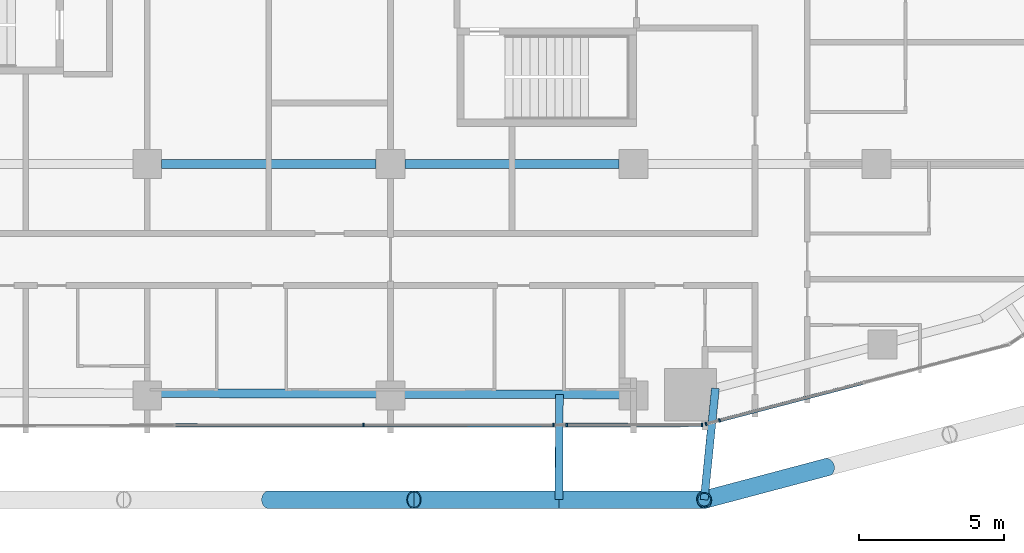
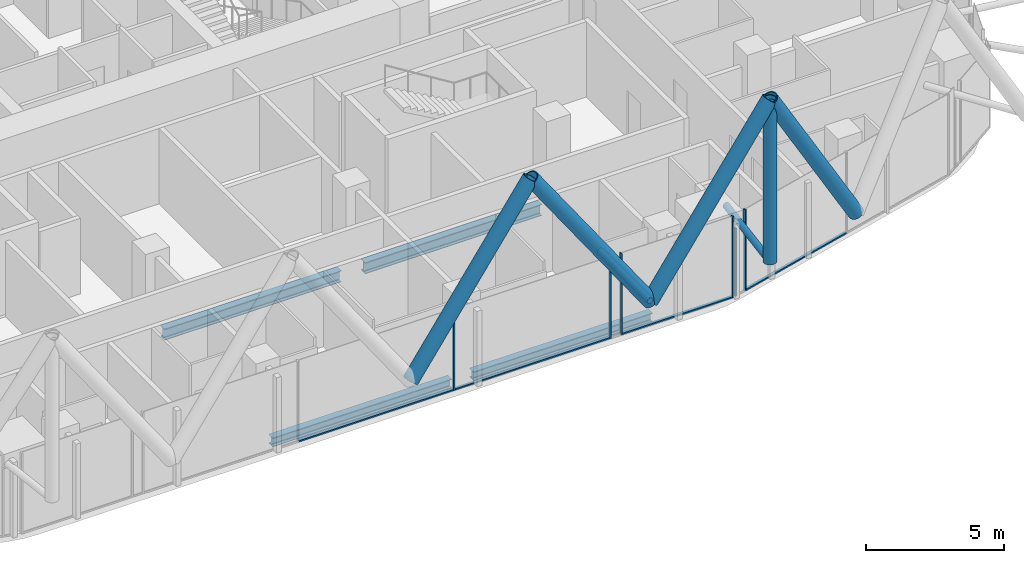
# One storey, part 5 of 38: 17 members, 4 beams, 5 elements without a shape of their own.
"""IFC4 building model written with IfcOpenShell, lengths in metres."""

from ifc_helpers import new_model, si_unit, direction, frame, origin, origin_2d, place, context, subcontext, project, spatial, rectangle, hollow_circle, i_section, extrude, material, layer, layer_set, material_profile, profile_set, type_object, element, aggregate, save


model = new_model("IFC4")

# Units and contexts
model_context = context("Model", 3, precision=1e-05, world=origin(), true_north=direction((0.0, 1.0)))
body_context = subcontext(model_context, "Body", "Model", "MODEL_VIEW")
ifc_project = project(units=[si_unit("LENGTHUNIT", "METRE"), si_unit("AREAUNIT", "SQUARE_METRE"), si_unit("VOLUMEUNIT", "CUBIC_METRE"), si_unit("PLANEANGLEUNIT", "RADIAN"), si_unit("MASSUNIT", "GRAM", prefix="KILO")], contexts=[model_context])

# Site, building, storey
site_placement = place(None, origin())
site = spatial("IfcSite", under=ifc_project, at=site_placement, CompositionType="ELEMENT")
building_placement = place(site_placement, origin())
building = spatial("IfcBuilding", under=site, at=building_placement, Name="Marenta Gate Hotel Tower", CompositionType="ELEMENT")
storey_placement = place(building_placement, frame((0.0, 0.0, 54.5)))
storey = spatial("IfcBuildingStorey", under=building, at=storey_placement, Name="L11", CompositionType="ELEMENT", Elevation=54.5)

# Members
ifc_material_1 = material(Name="Steel S355J2W", Category="steel")
ifc_material_profile_1 = material_profile(ifc_material_1, hollow_circle(Radius=0.25390625, WallThickness=0.0400390625, at=origin_2d()), Name="CHS 508x40")
ifc_profile_set_1 = profile_set([ifc_material_profile_1], Name="Steel S355J2W")
member_type_1 = type_object("IfcMemberType", Name="Diagrid corner post Z1 CHS 508x40", PredefinedType="POST", material=ifc_profile_set_1)
member_1_placement = place(storey_placement, frame((15.0390625, -20.0, 3.139892578125), z_axis=(0.0, 0.0, 1.0), x_axis=(1.0, 0.0, 0.0)))
element("IfcMember", 1, at=member_1_placement, inside=storey, type_object=member_type_1, Name="L11-DR-3", PredefinedType="POST", context=body_context, shape_type="SweptSolid", body=[
    extrude(hollow_circle(Radius=0.25390625, WallThickness=0.0400390625, at=origin_2d()), origin(), (0.0, 0.0, 1.0), 7.2001953125),
])
ifc_material_2 = material(Name="Steel S355J2W", Category="steel")
ifc_material_profile_2 = material_profile(ifc_material_2, hollow_circle(Radius=0.304931640625, WallThickness=0.0400390625, at=origin_2d()), Name="CHS 610x40")
ifc_profile_set_2 = profile_set([ifc_material_profile_2], Name="Steel S355J2W")
member_type_2 = type_object("IfcMemberType", Name="Diagrid diagonal Z1 CHS 610x40", PredefinedType="BRACE", material=ifc_profile_set_2)
member_2_placement = place(storey_placement, frame((19.279296875, -18.875, 3.139892578125), z_axis=(-0.50291158245, -0.13343024942, 0.853976761263), x_axis=(0.256443187528, -0.96655930577, 0.0)))
element("IfcMember", 2, at=member_2_placement, inside=storey, type_object=member_type_2, Name="L11-DG-14", PredefinedType="BRACE", context=body_context, shape_type="SweptSolid", body=[
    extrude(hollow_circle(Radius=0.304931640625, WallThickness=0.0400390625, at=origin_2d()), origin(), (0.0, 0.0, 1.0), 8.431396484375),
])
for number, where, z_axis, x_axis, name in (
    (3, (10.02587890625, -20.0, 3.139892578125), (0.57139871881, 0.0, 0.820672592537), (0.0, 1.0, 0.0), "L11-DG-15"),
    (4, (10.02587890625, -20.0, 3.139892578125), (-0.571379976811, 0.0, 0.820685641461), (0.0, -1.0, 0.0), "L11-DG-16"),
    (5, (0.0, -20.0, 3.139892578125), (0.571379976811, 0.0, 0.820685641461), (0.0, 1.0, 0.0), "L11-DG-17"),
):
    element("IfcMember", number, at=place(storey_placement, frame(where, z_axis=z_axis, x_axis=x_axis)), inside=storey, type_object=member_type_2, Name=name, PredefinedType="BRACE", context=body_context, shape_type="SweptSolid", body=[
        extrude(hollow_circle(Radius=0.304931640625, WallThickness=0.0400390625, at=origin_2d()), origin(), (0.0, 0.0, 1.0), 8.7734375),
    ])

# Beams
ifc_material_3 = material(Name="Steel S355", Category="steel")
ifc_material_profile_3 = material_profile(ifc_material_3, i_section(OverallWidth=0.300048828125, OverallDepth=0.39990234375, WebThickness=0.013427734375, FlangeThickness=0.02392578125, FilletRadius=0.027099609375, at=origin_2d()), Name="HEB 400")
ifc_profile_set_3 = profile_set([ifc_material_profile_3], Name="Steel S355")
beam_type_1 = type_object("IfcBeamType", Name="Edge beam HEB 400", PredefinedType="SPANDREL", material=ifc_profile_set_3)
for number, where, z_axis, x_axis, name in (
    (6, (12.139892578125, -16.365966796875, -0.4599609375), (-0.99999624158, 0.002741683018, 0.0), (-0.002741683018, -0.99999624158, 0.0), "L11-EB-32"),
    (7, (3.739990234375, -16.3427734375, -0.4599609375), (-0.99999624158, 0.002741683018, 0.0), (-0.002741683018, -0.99999624158, 0.0), "L11-EB-33"),
):
    element("IfcBeam", number, at=place(storey_placement, frame(where, z_axis=z_axis, x_axis=x_axis)), inside=storey, type_object=beam_type_1, Name=name, PredefinedType="SPANDREL", context=body_context, shape_type="SweptSolid", body=[
        extrude(i_section(OverallWidth=0.300048828125, OverallDepth=0.39990234375, WebThickness=0.013427734375, FlangeThickness=0.02392578125, FilletRadius=0.027099609375, at=origin_2d()), origin(), (0.0, 0.0, 1.0), 7.47998046875),
    ])

# Members
ifc_material_4 = material(Name="Steel S355J2W", Category="steel")
ifc_material_profile_4 = material_profile(ifc_material_4, hollow_circle(Radius=0.136474609375, WallThickness=0.012451171875, at=origin_2d()), Name="CHS 273x12.5")
ifc_profile_set_4 = profile_set([ifc_material_profile_4], Name="Steel S355J2W")
member_type_3 = type_object("IfcMemberType", Name="Floor tie CHS 273x12.5", PredefinedType="STRUT", material=ifc_profile_set_4)
member_3_placement = place(storey_placement, frame((15.0390625, -20.0, 3.139892578125), z_axis=(0.100354093407, 0.994951785735, 0.0), x_axis=(-0.994951785735, 0.100354093407, 0.0)))
element("IfcMember", 8, at=member_3_placement, inside=storey, type_object=member_type_3, Name="L11-DR-13", PredefinedType="STRUT", context=body_context, shape_type="SweptSolid", body=[
    extrude(hollow_circle(Radius=0.136474609375, WallThickness=0.012451171875, at=origin_2d()), origin(), (0.0, 0.0, 1.0), 3.86572265625),
])
member_4_placement = place(storey_placement, frame((10.02587890625, -20.0, 3.139892578125), z_axis=(0.002755180726, 0.999996204482, 0.0), x_axis=(-0.999996204482, 0.002755180726, 0.0)))
element("IfcMember", 9, at=member_4_placement, inside=storey, type_object=member_type_3, Name="L11-DR-14", PredefinedType="STRUT", context=body_context, shape_type="SweptSolid", body=[
    extrude(hollow_circle(Radius=0.136474609375, WallThickness=0.012451171875, at=origin_2d()), origin(), (0.0, 0.0, 1.0), 3.633056640625),
])

# Beams
ifc_material_5 = material(Name="Steel S355", Category="steel")
ifc_material_profile_5 = material_profile(ifc_material_5, i_section(OverallWidth=0.300048828125, OverallDepth=0.5, WebThickness=0.014404296875, FlangeThickness=0.028076171875, FilletRadius=0.027099609375, at=origin_2d()), Name="HEB 500")
ifc_profile_set_5 = profile_set([ifc_material_profile_5], Name="Steel S355")
beam_type_2 = type_object("IfcBeamType", Name="Girder HEB 500", PredefinedType="BEAM", material=ifc_profile_set_5)
beam_1_placement = place(storey_placement, frame((-3.699951171875, -8.39990234375, -0.510009765625), z_axis=(1.0, 0.0, 0.0), x_axis=(0.0, 1.0, 0.0)))
element("IfcBeam", 10, at=beam_1_placement, inside=storey, type_object=beam_type_2, Name="L11-GD-4", PredefinedType="BEAM", context=body_context, shape_type="SweptSolid", body=[
    extrude(i_section(OverallWidth=0.300048828125, OverallDepth=0.5, WebThickness=0.014404296875, FlangeThickness=0.028076171875, FilletRadius=0.027099609375, at=origin_2d()), origin(), (0.0, 0.0, 1.0), 7.39990234375),
])
beam_2_placement = place(storey_placement, frame((4.699951171875, -8.39990234375, -0.510009765625), z_axis=(1.0, 0.0, 0.0), x_axis=(0.0, 1.0, 0.0)))
element("IfcBeam", 11, at=beam_2_placement, inside=storey, type_object=beam_type_2, Name="L11-GD-5", PredefinedType="BEAM", context=body_context, shape_type="SweptSolid", body=[
    extrude(i_section(OverallWidth=0.300048828125, OverallDepth=0.5, WebThickness=0.014404296875, FlangeThickness=0.028076171875, FilletRadius=0.027099609375, at=origin_2d()), origin(), (0.0, 0.0, 1.0), 7.400146484375),
])

# Curtain wall, member
ifc_material_6 = material(Name="Tinted insulated glass in bronze anodised frame", Category="glass")
ifc_layer = layer(ifc_material_6, 0.1201171875)
ifc_layer_set = layer_set([ifc_layer], Name="Tinted insulated glass in bronze anodised frame")
curtain_wall_type = type_object("IfcCurtainWallType", Name="Tower unitised curtain wall CW1", PredefinedType="NOTDEFINED", material=ifc_layer_set)
curtain_wall_1_placement = place(storey_placement, origin())
curtain_wall_1 = element("IfcCurtainWall", 12, at=curtain_wall_1_placement, inside=storey, type_object=curtain_wall_type, Name="CW1 run G20", PredefinedType="NOTDEFINED")
ifc_material_7 = material(Name="Bronze anodised aluminium", Category="aluminium")
ifc_material_profile_6 = material_profile(ifc_material_7, rectangle(XDim=0.1201171875, YDim=0.06005859375, at=origin_2d()), Name="Mullion CW1 60x120 bronze anodised aluminium")
ifc_profile_set_6 = profile_set([ifc_material_profile_6], Name="Bronze anodised aluminium")
member_type_4 = type_object("IfcMemberType", Name="Mullion CW1 60x120 bronze anodised aluminium", PredefinedType="MULLION", material=ifc_profile_set_6)
member_5_placement = place(storey_placement, frame((3.273681640625, -17.4267578125, 0.0), z_axis=(0.0, 0.0, 1.0), x_axis=(-0.001163317936, 0.999999323345, 0.0)))
member_5 = element("IfcMember", 13, at=member_5_placement, type_object=member_type_4, Name="CW1 mullion 3", PredefinedType="MULLION", context=body_context, shape_type="SweptSolid", body=[
    extrude(rectangle(XDim=0.1201171875, YDim=0.06005859375, at=origin_2d()), origin(), (0.0, 0.0, 1.0), 3.60009765625),
])

curtain_wall_2_placement = place(storey_placement, origin())
curtain_wall_2 = element("IfcCurtainWall", 14, at=curtain_wall_2_placement, inside=storey, type_object=curtain_wall_type, Name="CW1 run G21", PredefinedType="NOTDEFINED")
member_6_placement = place(storey_placement, frame((9.836669921875, -17.4189453125, 0.0), z_axis=(0.0, 0.0, 1.0), x_axis=(-0.001103752086, 0.999999390865, 0.0)))
member_6 = element("IfcMember", 15, at=member_6_placement, type_object=member_type_4, Name="CW1 mullion 1", PredefinedType="MULLION", context=body_context, shape_type="SweptSolid", body=[
    extrude(rectangle(XDim=0.1201171875, YDim=0.06005859375, at=origin_2d()), origin(), (0.0, 0.0, 1.0), 3.00048828125),
])
aggregate(curtain_wall_2, [member_6])

# Curtain wall, members
curtain_wall_3_placement = place(storey_placement, origin())
curtain_wall_3 = element("IfcCurtainWall", 16, at=curtain_wall_3_placement, inside=storey, type_object=curtain_wall_type, Name="CW1 run G22", PredefinedType="NOTDEFINED")
member_7_placement = place(storey_placement, frame((10.28955078125, -17.41845703125, 0.0), z_axis=(0.0, 0.0, 1.0), x_axis=(-0.001161782868, 0.99999932513, 0.0)))
member_7 = element("IfcMember", 17, at=member_7_placement, type_object=member_type_4, Name="CW1 mullion 1", PredefinedType="MULLION", context=body_context, shape_type="SweptSolid", body=[
    extrude(rectangle(XDim=0.1201171875, YDim=0.06005859375, at=origin_2d()), origin(), (0.0, 0.0, 1.0), 3.60009765625),
])
member_8_placement = place(storey_placement, frame((14.963623046875, -17.4130859375, 0.0), z_axis=(0.0, 0.0, 1.0), x_axis=(-0.001161782868, 0.99999932513, 0.0)))
member_8 = element("IfcMember", 18, at=member_8_placement, type_object=member_type_4, Name="CW1 mullion 2", PredefinedType="MULLION", context=body_context, shape_type="SweptSolid", body=[
    extrude(rectangle(XDim=0.1201171875, YDim=0.06005859375, at=origin_2d()), origin(), (0.0, 0.0, 1.0), 3.60009765625),
])

# Curtain wall, member
curtain_wall_4_placement = place(storey_placement, origin())
curtain_wall_4 = element("IfcCurtainWall", 19, at=curtain_wall_4_placement, inside=storey, type_object=curtain_wall_type, Name="CW1 run G23", PredefinedType="NOTDEFINED")
member_9_placement = place(storey_placement, frame((15.103515625, -17.38427734375, 0.0), z_axis=(0.0, 0.0, 1.0), x_axis=(-0.25342392363, 0.967355319897, 0.0)))
member_9 = element("IfcMember", 20, at=member_9_placement, type_object=member_type_4, Name="CW1 mullion 1", PredefinedType="MULLION", context=body_context, shape_type="SweptSolid", body=[
    extrude(rectangle(XDim=0.1201171875, YDim=0.06005859375, at=origin_2d()), origin(), (0.0, 0.0, 1.0), 3.00048828125),
])
aggregate(curtain_wall_4, [member_9])

curtain_wall_5_placement = place(storey_placement, origin())
curtain_wall_5 = element("IfcCurtainWall", 21, at=curtain_wall_5_placement, inside=storey, type_object=curtain_wall_type, Name="CW1 run G24", PredefinedType="NOTDEFINED")
member_10_placement = place(storey_placement, frame((15.571044921875, -17.26171875, 0.0), z_axis=(0.0, 0.0, 1.0), x_axis=(-0.253363691666, 0.967371097224, 0.0)))
member_10 = element("IfcMember", 22, at=member_10_placement, type_object=member_type_4, Name="CW1 mullion 1", PredefinedType="MULLION", context=body_context, shape_type="SweptSolid", body=[
    extrude(rectangle(XDim=0.1201171875, YDim=0.06005859375, at=origin_2d()), origin(), (0.0, 0.0, 1.0), 3.60009765625),
])

# Member
ifc_material_8 = material(Name="Bronze anodised aluminium", Category="aluminium")
ifc_material_profile_7 = material_profile(ifc_material_8, rectangle(XDim=0.1201171875, YDim=0.06005859375, at=origin_2d()), Name="Transom CW1 60x120 bronze anodised aluminium")
ifc_profile_set_7 = profile_set([ifc_material_profile_7], Name="Bronze anodised aluminium")
member_type_5 = type_object("IfcMemberType", Name="Transom CW1 60x120 bronze anodised aluminium", PredefinedType="USERDEFINED", material=ifc_profile_set_7)
member_11_placement = place(storey_placement, frame((-3.2294921875, -17.434326171875, 0.030029296875), z_axis=(0.999999316494, 0.001169192834, 0.0), x_axis=(-0.001169192834, 0.999999316494, 0.0)))
member_11 = element("IfcMember", 23, at=member_11_placement, type_object=member_type_5, Name="CW1 transom 2.1", ObjectType="TRANSOM", PredefinedType="USERDEFINED", context=body_context, shape_type="SweptSolid", body=[
    extrude(rectangle(XDim=0.1201171875, YDim=0.06005859375, at=origin_2d()), origin(), (0.0, 0.0, 1.0), 6.47314453125),
])

member_12_placement = place(storey_placement, frame((3.303466796875, -17.4267578125, 0.030029296875), z_axis=(0.999999322792, 0.001163793933, 0.0), x_axis=(-0.001163793933, 0.999999322792, 0.0)))
member_12 = element("IfcMember", 24, at=member_12_placement, type_object=member_type_5, Name="CW1 transom 3.1", ObjectType="TRANSOM", PredefinedType="USERDEFINED", context=body_context, shape_type="SweptSolid", body=[
    extrude(rectangle(XDim=0.1201171875, YDim=0.06005859375, at=origin_2d()), origin(), (0.0, 0.0, 1.0), 6.503173828125),
])

aggregate(curtain_wall_1, [member_5, member_11, member_12])

member_13_placement = place(storey_placement, frame((10.319580078125, -17.41845703125, 0.030029296875), z_axis=(0.999999322456, 0.001164081967, 0.0), x_axis=(-0.001164081967, 0.999999322456, 0.0)))
member_13 = element("IfcMember", 25, at=member_13_placement, type_object=member_type_5, Name="CW1 transom 1.1", ObjectType="TRANSOM", PredefinedType="USERDEFINED", context=body_context, shape_type="SweptSolid", body=[
    extrude(rectangle(XDim=0.1201171875, YDim=0.06005859375, at=origin_2d()), origin(), (0.0, 0.0, 1.0), 4.614013671875),
])

aggregate(curtain_wall_3, [member_7, member_8, member_13])

member_14_placement = place(storey_placement, frame((15.60009765625, -17.254150390625, 0.030029296875), z_axis=(0.967374461707, 0.253350845344, 0.0), x_axis=(-0.253350845344, 0.967374461707, 0.0)))
member_14 = element("IfcMember", 26, at=member_14_placement, type_object=member_type_5, Name="CW1 transom 1.1", ObjectType="TRANSOM", PredefinedType="USERDEFINED", context=body_context, shape_type="SweptSolid", body=[
    extrude(rectangle(XDim=0.1201171875, YDim=0.06005859375, at=origin_2d()), origin(), (0.0, 0.0, 1.0), 5.091796875),
])

aggregate(curtain_wall_5, [member_10, member_14])

save(model, "model.ifc")
